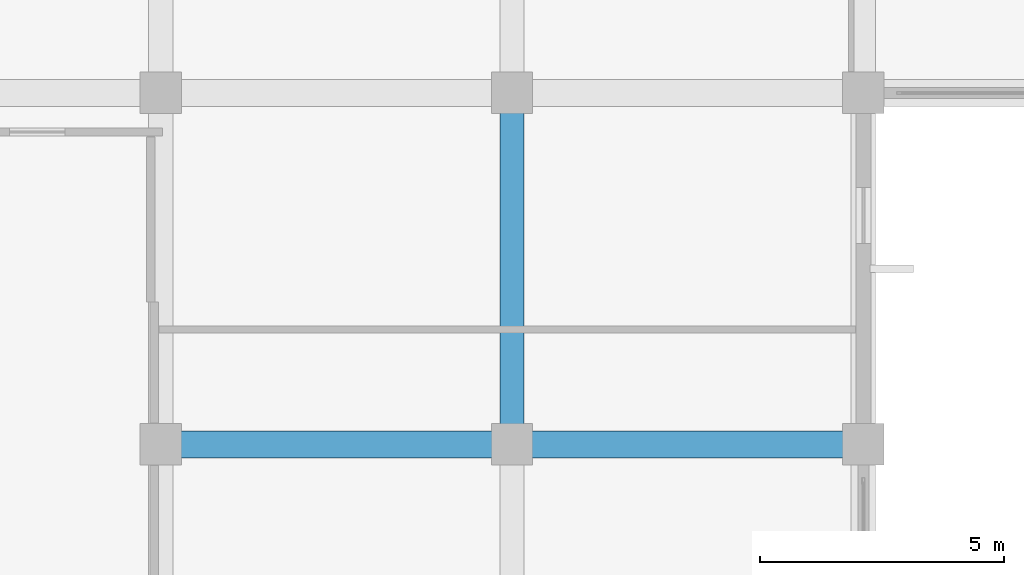
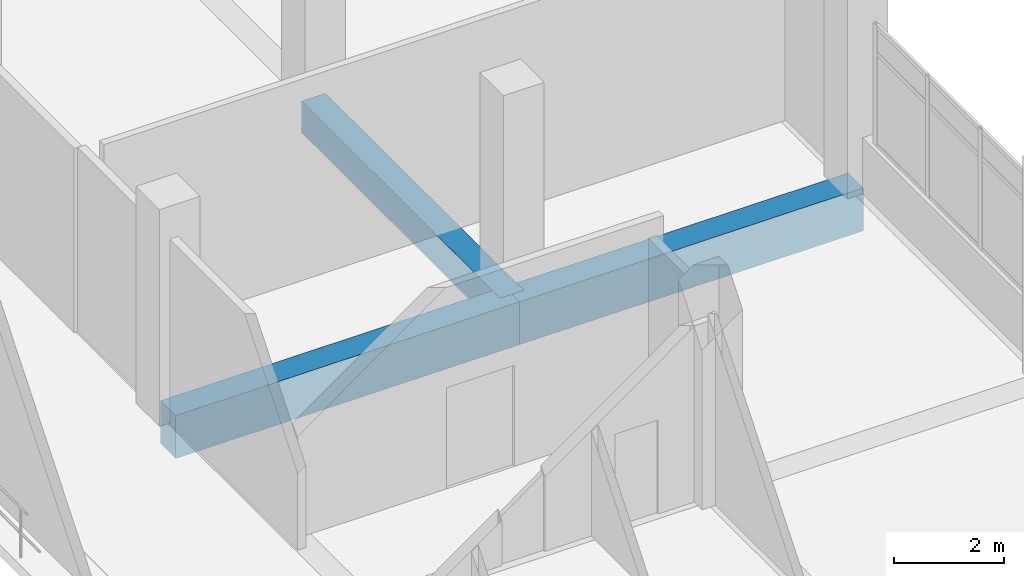
# One storey, part 29 of 181: 3 beams.
"""IFC4 building model written with IfcOpenShell, lengths in metres."""

import ifcopenshell
import ifcopenshell.guid

model = None  # the IFC model being written
_history = None  # IfcOwnerHistory: only IFC2X3 demands one
_inside = {}  # id of a spatial element -> (the spatial element, [elements in it])
_under = {}  # id of a project, library or spatial element -> (it, [spatial elements below it])
_declared = {}  # id of a project -> (the project, [libraries it declares])
_typed = {}  # id of a type object -> (the type object, [elements of that type])
_made_of = {}  # id of a material, layer set ... -> (it, [elements and type objects made of it])


def new_model(schema):
    """Start an empty IFC model of exactly this schema.

    Asked for "IFC4X3", IfcOpenShell would pick the latest addendum, in which some entities
    have other attributes; the version numbers below select the first issue.
    IFC2X3 requires an IfcOwnerHistory on every rooted entity: one is made here for all.
    """
    global model, _history
    if schema == "IFC4X3":
        model = ifcopenshell.file(schema_version=(4, 3, 0, 0))
    else:
        model = ifcopenshell.file(schema=schema)
    _inside.clear()
    _under.clear()
    _declared.clear()
    _typed.clear()
    _made_of.clear()
    _history = None
    if model.schema == "IFC2X3":
        org = make("IfcOrganization", Name="unknown")
        user = make(
            "IfcPersonAndOrganization",
            ThePerson=make("IfcPerson", FamilyName="unknown"),
            TheOrganization=org,
        )
        app = make(
            "IfcApplication",
            ApplicationDeveloper=org,
            Version="unknown",
            ApplicationFullName="unknown",
            ApplicationIdentifier="unknown",
        )
        _history = make(
            "IfcOwnerHistory",
            OwningUser=user,
            OwningApplication=app,
            ChangeAction="ADDED",
            CreationDate=0,
        )
    return model


def make(cls, **values):
    """One entity of the class cls with the attributes given. An attribute that is None is left unset."""
    return model.create_entity(
        cls, **{name: value for name, value in values.items() if value is not None}
    )


def rooted(cls, **values):
    """An entity with a GlobalId (a new one), such as an element, a storey or a relation."""
    return make(cls, GlobalId=ifcopenshell.guid.new(), OwnerHistory=_history, **values)


def si_unit(unit_type, name, prefix=None):
    """IfcSIUnit, for example si_unit("LENGTHUNIT", "METRE", prefix="MILLI")."""
    return make("IfcSIUnit", UnitType=unit_type, Prefix=prefix, Name=name)


def assignment(units):
    """IfcUnitAssignment: the units of a project."""
    return None if units is None else make("IfcUnitAssignment", Units=units)


def point(xyz):
    """IfcCartesianPoint."""
    return None if xyz is None else make("IfcCartesianPoint", Coordinates=xyz)


def direction(xyz):
    """IfcDirection."""
    return None if xyz is None else make("IfcDirection", DirectionRatios=xyz)


def frame(location, z_axis=None, x_axis=None):
    """IfcAxis2Placement3D, a coordinate frame: its origin and axes. An axis left out is left unset."""
    return make(
        "IfcAxis2Placement3D",
        Location=point(location),
        Axis=direction(z_axis),
        RefDirection=direction(x_axis),
    )


def frame_2d(location, x_axis=None):
    """IfcAxis2Placement2D, a coordinate frame in the plane: its origin and x axis."""
    return make(
        "IfcAxis2Placement2D", Location=point(location), RefDirection=direction(x_axis)
    )


def origin():
    """The frame at (0, 0, 0) with its axes left unset."""
    return frame((0.0, 0.0, 0.0))


def origin_2d():
    """The frame at (0, 0) in the plane with its x axis left unset."""
    return frame_2d((0.0, 0.0))


def place(relative_to, where):
    """IfcLocalPlacement: puts the frame where relative to a parent placement (None: the world)."""
    return make(
        "IfcLocalPlacement", PlacementRelTo=relative_to, RelativePlacement=where
    )


def context(
    kind, dimensions, precision=None, world=None, true_north=None, identifier=None
):
    """IfcGeometricRepresentationContext, for example the 3D "Model" context."""
    return make(
        "IfcGeometricRepresentationContext",
        ContextIdentifier=identifier,
        ContextType=kind,
        CoordinateSpaceDimension=dimensions,
        Precision=precision,
        WorldCoordinateSystem=world,
        TrueNorth=true_north,
    )


def subcontext(parent, identifier, kind, view, scale=None):
    """IfcGeometricRepresentationSubContext, for example "Body" below "Model"."""
    return make(
        "IfcGeometricRepresentationSubContext",
        ContextIdentifier=identifier,
        ContextType=kind,
        ParentContext=parent,
        TargetScale=scale,
        TargetView=view,
    )


def project(units=None, contexts=None):
    """IfcProject with its units and contexts."""
    return rooted(
        "IfcProject",
        Name="project",
        RepresentationContexts=contexts,
        UnitsInContext=assignment(units),
    )


def spatial(cls, under=None, at=None, **own):
    """A site, building, storey or space (cls), placed at a placement, below another one or the project."""
    s = rooted(cls, ObjectPlacement=at, **own)
    if under is not None:
        _under.setdefault(under.id(), (under, []))[1].append(s)
    return s


def profile(cls, at=None, kind="AREA", **sizes):
    """A parametric profile (cls). Its sizes go by their IFC names, for example OverallWidth=200.0."""
    return make(cls, ProfileType=kind, Position=at, **sizes)


def rectangle(**sizes):
    """IfcRectangleProfileDef."""
    return profile("IfcRectangleProfileDef", **sizes)


def extrude(swept, where, along, depth):
    """IfcExtrudedAreaSolid: the profile swept, set in the frame where, extruded along a direction by depth."""
    return make(
        "IfcExtrudedAreaSolid",
        SweptArea=swept,
        Position=where,
        ExtrudedDirection=direction(along),
        Depth=depth,
    )


def shape(context_of_items, identifier, shape_type, items):
    """IfcShapeRepresentation: the items that make up one representation, for example the "Body"."""
    return make(
        "IfcShapeRepresentation",
        ContextOfItems=context_of_items,
        RepresentationIdentifier=identifier,
        RepresentationType=shape_type,
        Items=items,
    )


def material(Name=None, Category=None):
    """IfcMaterial."""
    return make("IfcMaterial", Name=Name, Category=Category)


def material_profile(
    of_material, cross_section, Name=None, Category=None, Priority=None
):
    """IfcMaterialProfile: a cross section and its material."""
    return make(
        "IfcMaterialProfile",
        Name=Name,
        Material=of_material,
        Profile=cross_section,
        Priority=Priority,
        Category=Category,
    )


def profile_set(profiles, Name=None, composite=None):
    """IfcMaterialProfileSet."""
    return make(
        "IfcMaterialProfileSet",
        Name=Name,
        MaterialProfiles=profiles,
        CompositeProfile=composite,
    )


def made_of(thing, what):
    """Note that an element or type object is made of a material, layer set ...; save() writes the relation."""
    if what is not None:
        _made_of.setdefault(what.id(), (what, []))[1].append(thing)
    return thing


def type_object(cls, material=None, **own):
    """A type object (cls), such as IfcWallType, which elements share."""
    return made_of(rooted(cls, **own), material)


def element(
    cls,
    number,
    at=None,
    inside=None,
    cuts=None,
    type_object=None,
    material=None,
    context=None,
    identifier="Body",
    shape_type=None,
    held_by="IfcProductDefinitionShape",
    body=None,
    shapes=None,
    **own,
):
    """One element of the class cls, such as IfcWall. Its Tag is "e" and its number.

    at: its placement. inside: the storey or other place that contains it. cuts: it is an
    opening in that element (IfcRelVoidsElement). A single representation is given by context,
    identifier, shape_type and body (its items); several are given by shapes. held_by: the class
    of the entity that holds the representations. save() writes the other relations.
    """
    e = rooted(cls, Tag="e%d" % number, ObjectPlacement=at, **own)
    if body is not None:
        shapes = [shape(context, identifier, shape_type, body)]
    if shapes is not None:
        e.Representation = make(held_by, Representations=shapes)
    if inside is not None:
        _inside.setdefault(inside.id(), (inside, []))[1].append(e)
    if cuts is not None:
        rooted(
            "IfcRelVoidsElement", RelatingBuildingElement=cuts, RelatedOpeningElement=e
        )
    if type_object is not None:
        _typed.setdefault(type_object.id(), (type_object, []))[1].append(e)
    return made_of(e, material)


def aggregate(whole, parts):
    """IfcRelAggregates: a whole, such as a stair, and the parts it consists of."""
    return rooted("IfcRelAggregates", RelatingObject=whole, RelatedObjects=parts)


def save(model, path):
    """Write the relations noted so far, then the file.

    IfcRelAggregates (storeys below a building ...), IfcRelContainedInSpatialStructure (elements
    in a storey), IfcRelDefinesByType, IfcRelAssociatesMaterial and IfcRelDeclares: one each for
    every whole, place, type object, material and project.
    """
    for whole, parts in _under.values():
        aggregate(whole, parts)
    for where, things in _inside.values():
        rooted(
            "IfcRelContainedInSpatialStructure",
            RelatedElements=things,
            RelatingStructure=where,
        )
    for kind, things in _typed.values():
        rooted("IfcRelDefinesByType", RelatedObjects=things, RelatingType=kind)
    for what, things in _made_of.values():
        rooted("IfcRelAssociatesMaterial", RelatedObjects=things, RelatingMaterial=what)
    for by, libraries in _declared.values():
        rooted("IfcRelDeclares", RelatingContext=by, RelatedDefinitions=libraries)
    model.write(path)


model = new_model("IFC4")

# Units and contexts
model_context = context("Model", 3, precision=1e-05, world=origin(), true_north=direction((0.0, 1.0)))
body_context = subcontext(model_context, "Body", "Model", "MODEL_VIEW")
ifc_project = project(units=[si_unit("LENGTHUNIT", "METRE"), si_unit("AREAUNIT", "SQUARE_METRE"), si_unit("VOLUMEUNIT", "CUBIC_METRE"), si_unit("PLANEANGLEUNIT", "RADIAN"), si_unit("MASSUNIT", "GRAM", prefix="KILO")], contexts=[model_context])

# Site, building, storey
site_placement = place(None, origin())
site = spatial("IfcSite", under=ifc_project, at=site_placement, CompositionType="ELEMENT")
building_placement = place(site_placement, origin())
building = spatial("IfcBuilding", under=site, at=building_placement, Name="Seraya Terrace Polytechnic", CompositionType="ELEMENT")
storey_placement = place(building_placement, frame((0.0, 0.0, 4.800048828125)))
storey = spatial("IfcBuildingStorey", under=building, at=storey_placement, Name="L01", CompositionType="ELEMENT", Elevation=4.800048828125)

# Beams
ifc_material = material(Name="Concrete C40/50", Category="concrete")
ifc_material_profile_1 = material_profile(ifc_material, rectangle(XDim=0.550048828125, YDim=0.949951171875, at=origin_2d()), Name="RC 550x950")
ifc_profile_set_1 = profile_set([ifc_material_profile_1], Name="Concrete C40/50")
beam_type_1 = type_object("IfcBeamType", Name="BM-03", PredefinedType="BEAM", material=ifc_profile_set_1)
for number, where, z_axis, x_axis, name in (
    (1, (28.800048828125, 57.60009765625, -0.47509765625), (1.0, 0.0, 0.0), (0.0, 1.0, 0.0), "Beam BM-03 L01 X (28.8..36.0, 57.6)"),
    (2, (36.0, 57.60009765625, -0.47509765625), (1.0, 0.0, 0.0), (0.0, 1.0, 0.0), "Beam BM-03 L01 X (36.0..43.2, 57.6)"),
):
    element("IfcBeam", number, at=place(storey_placement, frame(where, z_axis=z_axis, x_axis=x_axis)), inside=storey, type_object=beam_type_1, Name=name, PredefinedType="BEAM", context=body_context, shape_type="SweptSolid", body=[
        extrude(rectangle(XDim=0.550048828125, YDim=0.949951171875, at=origin_2d()), origin(), (0.0, 0.0, 1.0), 7.199951171875),
    ])
ifc_material_profile_2 = material_profile(ifc_material, rectangle(XDim=0.5, YDim=0.699951171875, at=origin_2d()), Name="RC 500x700")
ifc_profile_set_2 = profile_set([ifc_material_profile_2], Name="Concrete C40/50")
beam_type_2 = type_object("IfcBeamType", Name="BM-07", PredefinedType="BEAM", material=ifc_profile_set_2)
beam_placement = place(storey_placement, frame((36.0, 57.60009765625, -0.35009765625), z_axis=(0.0, 1.0, 0.0), x_axis=(-1.0, 0.0, 0.0)))
element("IfcBeam", 3, at=beam_placement, inside=storey, type_object=beam_type_2, Name="Beam BM-07 L01 Y (36.0, 57.6..64.8)", PredefinedType="BEAM", context=body_context, shape_type="SweptSolid", body=[
    extrude(rectangle(XDim=0.5, YDim=0.699951171875, at=origin_2d()), origin(), (0.0, 0.0, 1.0), 7.199951171875),
])

save(model, "model.ifc")
